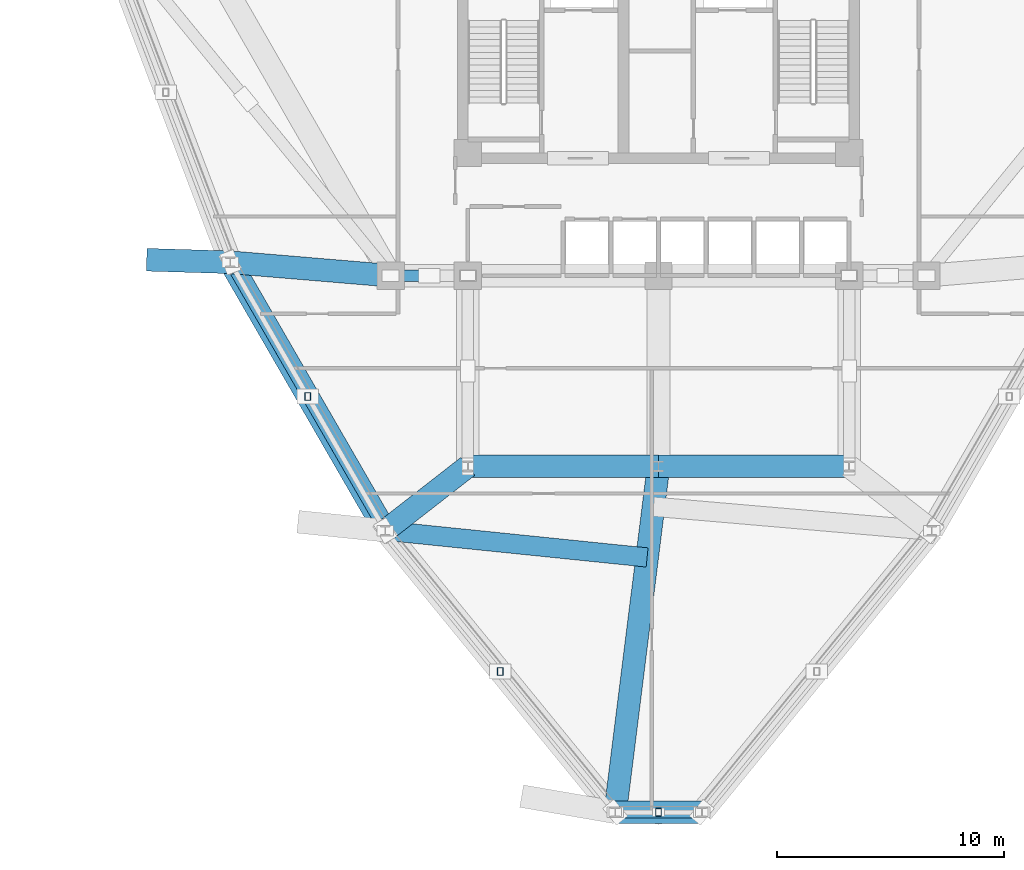
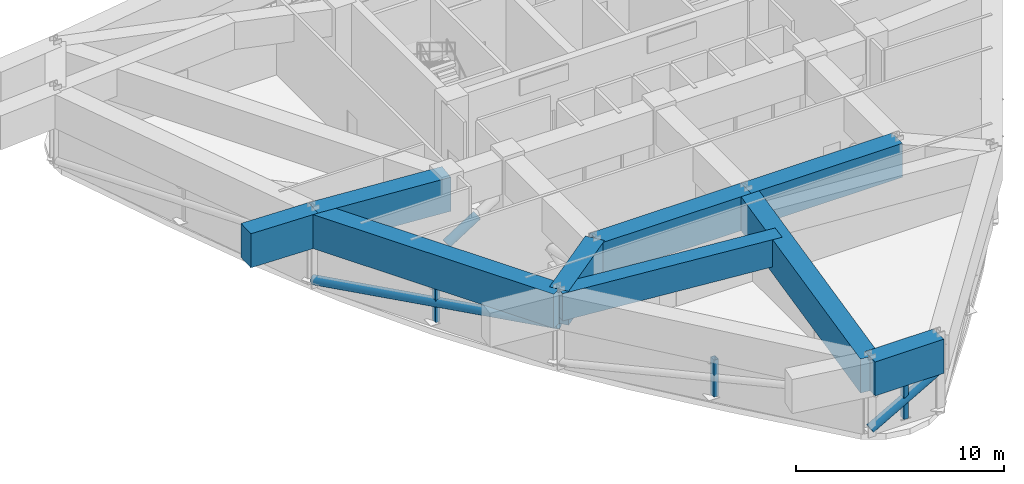
# One storey, part 2 of 13: 9 beams, 6 members.
"""IFC4 building model written with IfcOpenShell, lengths in metres."""

from ifc_helpers import new_model, si_unit, derived_unit, direction, frame, origin, origin_2d, place, context, subcontext, project, spatial, rectangle, hollow_rectangle, hollow_circle, extrude, source, transform, mapped, material, material_profile, profile_set, type_object, element, save


model = new_model("IFC4")

# Units and contexts
model_context = context("Model", 3, precision=1e-05, world=origin(), true_north=direction((0.0, 1.0)))
body_context = subcontext(model_context, "Body", "Model", "MODEL_VIEW")
ifc_project = project(units=[si_unit("LENGTHUNIT", "METRE"), si_unit("AREAUNIT", "SQUARE_METRE"), si_unit("VOLUMEUNIT", "CUBIC_METRE"), si_unit("PLANEANGLEUNIT", "RADIAN"), si_unit("MASSUNIT", "GRAM", prefix="KILO"), derived_unit("THERMALTRANSMITTANCEUNIT", [(si_unit("POWERUNIT", "WATT"), 1), (si_unit("LENGTHUNIT", "METRE"), -2), (si_unit("THERMODYNAMICTEMPERATUREUNIT", "KELVIN"), -1)])], contexts=[model_context])

# Site, building, storey
site_placement = place(None, origin())
site = spatial("IfcSite", under=ifc_project, at=site_placement, CompositionType="ELEMENT")
building_placement = place(site_placement, origin())
building = spatial("IfcBuilding", under=site, at=building_placement, Name="Korsvarv Bourse and Concert Hall", CompositionType="ELEMENT")
storey_placement = place(building_placement, frame((0.0, 0.0, 131.39990234375)))
storey = spatial("IfcBuildingStorey", under=building, at=storey_placement, Name="L33", CompositionType="ELEMENT", Elevation=131.39990234375)

# Beams
ifc_material_1 = material(Name="Concrete C60/75", Category="concrete")
ifc_material_profile_1 = material_profile(ifc_material_1, rectangle(XDim=1.0, YDim=2.0, at=origin_2d()), Name="RC-BM 1000x2000")
ifc_profile_set_1 = profile_set([ifc_material_profile_1], Name="Concrete C60/75")
beam_type_1 = type_object("IfcBeamType", Name="BM-TR1", PredefinedType="BEAM", material=ifc_profile_set_1)
shared_shape_1 = source(origin(), body_context, "Body", "SweptSolid", [
    extrude(rectangle(XDim=1.0, YDim=2.0, at=origin_2d()), origin(), (0.0, 0.0, 1.0), 8.39990234375),
])
for number, where, z_axis, x_axis, name in (
    (1, (27.60009765625, 24.0, 3.570068359375), (1.0, 0.0, 0.0), (0.0, 1.0, 0.0), "L33 beam B-TR1"),
    (2, (36.0, 24.0, 3.570068359375), (1.0, 0.0, 0.0), (0.0, 1.0, 0.0), "L33 beam B-TR1"),
):
    element("IfcBeam", number, at=place(storey_placement, frame(where, z_axis=z_axis, x_axis=x_axis)), inside=storey, type_object=beam_type_1, Name=name, PredefinedType="BEAM", context=body_context, shape_type="MappedRepresentation", body=[
        mapped(shared_shape_1, transform((0.0, 0.0, 0.0), scale=1.0)),
    ])
shared_shape_2 = source(origin(), body_context, "Body", "SweptSolid", [
    extrude(rectangle(XDim=1.0, YDim=2.0, at=origin_2d()), origin(), (0.0, 0.0, 1.0), 3.81591796875),
])
beam_1_placement = place(storey_placement, frame((34.092041015625, 8.76318359375, 3.570068359375), z_axis=(1.0, 0.0, 0.0), x_axis=(0.0, 1.0, 0.0)))
element("IfcBeam", 3, at=beam_1_placement, inside=storey, type_object=beam_type_1, Name="L33 beam B-TR1", PredefinedType="BEAM", context=body_context, shape_type="MappedRepresentation", body=[
    mapped(shared_shape_2, transform((0.0, 0.0, 0.0), scale=1.0)),
])
shared_shape_3 = source(origin(), body_context, "Body", "SweptSolid", [
    extrude(rectangle(XDim=1.0, YDim=2.0, at=origin_2d()), origin(), (0.0, 0.0, 1.0), 13.6533203125),
])
beam_2_placement = place(storey_placement, frame((17.1357421875, 32.991455078125, 3.570068359375), z_axis=(0.499996939111, -0.866027170982, 0.0), x_axis=(0.866027170982, 0.499996939111, 0.0)))
element("IfcBeam", 4, at=beam_2_placement, inside=storey, type_object=beam_type_1, Name="L33 beam B-TR1", PredefinedType="BEAM", context=body_context, shape_type="MappedRepresentation", body=[
    mapped(shared_shape_3, transform((0.0, 0.0, 0.0), scale=1.0)),
])
shared_shape_4 = source(origin(), body_context, "Body", "SweptSolid", [
    extrude(rectangle(XDim=1.0, YDim=2.0, at=origin_2d()), origin(), (0.0, 0.0, 1.0), 7.0888671875),
])
beam_3_placement = place(storey_placement, frame((17.1357421875, 32.991455078125, 3.570068359375), z_axis=(0.996512187592, -0.083447348558, 0.0), x_axis=(0.083447348558, 0.996512187592, 0.0)))
element("IfcBeam", 5, at=beam_3_placement, inside=storey, type_object=beam_type_1, Name="L33 beam B-TR1", PredefinedType="BEAM", context=body_context, shape_type="MappedRepresentation", body=[
    mapped(shared_shape_4, transform((0.0, 0.0, 0.0), scale=1.0)),
])
shared_shape_5 = source(origin(), body_context, "Body", "SweptSolid", [
    extrude(rectangle(XDim=1.0, YDim=2.0, at=origin_2d()), origin(), (0.0, 0.0, 1.0), 4.610595703125),
])
beam_4_placement = place(storey_placement, frame((23.96240234375, 21.167236328125, 3.570068359375), z_axis=(0.788989967488, 0.614406080051, 0.0), x_axis=(-0.614406080051, 0.788989967488, 0.0)))
element("IfcBeam", 6, at=beam_4_placement, inside=storey, type_object=beam_type_1, Name="L33 beam B-TR1", PredefinedType="BEAM", context=body_context, shape_type="MappedRepresentation", body=[
    mapped(shared_shape_5, transform((0.0, 0.0, 0.0), scale=1.0)),
])
shared_shape_6 = source(origin(), body_context, "Body", "SweptSolid", [
    extrude(rectangle(XDim=1.0, YDim=2.0, at=origin_2d()), origin(), (0.0, 0.0, 1.0), 15.355712890625),
])
beam_5_placement = place(storey_placement, frame((34.092041015625, 8.76318359375, 3.570068359375), z_axis=(0.124249978447, 0.992250947521, 0.0), x_axis=(-0.992250947521, 0.124249978447, 0.0)))
element("IfcBeam", 7, at=beam_5_placement, inside=storey, type_object=beam_type_1, Name="L33 beam B-TR1", PredefinedType="BEAM", context=body_context, shape_type="MappedRepresentation", body=[
    mapped(shared_shape_6, transform((0.0, 0.0, 0.0), scale=1.0)),
])
shared_shape_7 = source(origin(), body_context, "Body", "SweptSolid", [
    extrude(rectangle(XDim=1.0, YDim=2.0, at=origin_2d()), origin(), (0.0, 0.0, 1.0), 3.68359375),
])
beam_6_placement = place(storey_placement, frame((17.1357421875, 32.991455078125, 3.570068359375), z_axis=(-0.999545183562, 0.030156691103, 0.0), x_axis=(-0.030156691103, -0.999545183562, 0.0)))
element("IfcBeam", 8, at=beam_6_placement, inside=storey, type_object=beam_type_1, Name="L33 Block-Shift Transfer Girder 7", PredefinedType="BEAM", context=body_context, shape_type="MappedRepresentation", body=[
    mapped(shared_shape_7, transform((0.0, 0.0, 0.0), scale=1.0)),
])
ifc_material_2 = material(Name="Concrete C55/67", Category="concrete")
ifc_material_profile_2 = material_profile(ifc_material_2, rectangle(XDim=0.85009765625, YDim=1.60009765625, at=origin_2d()), Name="RC-BM 850x1600")
ifc_profile_set_2 = profile_set([ifc_material_profile_2], Name="Concrete C55/67")
beam_type_2 = type_object("IfcBeamType", Name="BM-TR1B", PredefinedType="BEAM", material=ifc_profile_set_2)
shared_shape_8 = source(origin(), body_context, "Body", "SweptSolid", [
    extrude(rectangle(XDim=0.85009765625, YDim=1.60009765625, at=origin_2d()), origin(), (0.0, 0.0, 1.0), 11.59521484375),
])
beam_7_placement = place(storey_placement, frame((35.49755859375, 19.98779296875, 3.77001953125), z_axis=(-0.994813335582, 0.101717389608, 0.0), x_axis=(-0.101717389608, -0.994813335582, 0.0)))
element("IfcBeam", 9, at=beam_7_placement, inside=storey, type_object=beam_type_2, Name="L33 beam B-TR2", PredefinedType="BEAM", context=body_context, shape_type="MappedRepresentation", body=[
    mapped(shared_shape_8, transform((0.0, 0.0, 0.0), scale=1.0)),
])

# Members
ifc_material_3 = material(Name="Steel S460", Category="steel")
ifc_material_profile_3 = material_profile(ifc_material_3, hollow_circle(Radius=0.25390625, WallThickness=0.02001953125, at=origin_2d()), Name="CHS 508x20")
ifc_profile_set_3 = profile_set([ifc_material_profile_3], Name="Steel S460")
member_type_1 = type_object("IfcMemberType", Name="MEM-CHS508", PredefinedType="BRACE", material=ifc_profile_set_3)
shared_shape_9 = source(origin(), body_context, "Body", "SweptSolid", [
    extrude(hollow_circle(Radius=0.25390625, WallThickness=0.02001953125, at=origin_2d()), origin(), (0.0, 0.0, 1.0), 2.0166015625),
])
member_1_placement = place(storey_placement, frame((24.199951171875, 32.39990234375, 0.35009765625), z_axis=(0.842947908287, 0.0, 0.537995189491), x_axis=(0.0, 1.0, 0.0)))
element("IfcMember", 10, at=member_1_placement, inside=storey, type_object=member_type_1, Name="L33 Outrigger Truss W1 Split Diagonal 2A", PredefinedType="BRACE", context=body_context, shape_type="MappedRepresentation", body=[
    mapped(shared_shape_9, transform((0.0, 0.0, 0.0), scale=1.0)),
])
shared_shape_10 = source(origin(), body_context, "Body", "SweptSolid", [
    extrude(hollow_circle(Radius=0.25390625, WallThickness=0.02001953125, at=origin_2d()), origin(), (0.0, 0.0, 1.0), 4.3896484375),
])
member_2_placement = place(storey_placement, frame((34.092041015625, 8.76318359375, 0.35009765625), z_axis=(0.869281684266, 0.0, 0.494317057566), x_axis=(0.0, 1.0, 0.0)))
element("IfcMember", 11, at=member_2_placement, inside=storey, type_object=member_type_1, Name="L33 Perimeter Belt Truss Diagonal 9", PredefinedType="BRACE", context=body_context, shape_type="MappedRepresentation", body=[
    mapped(shared_shape_10, transform((0.0, 0.0, 0.0), scale=1.0)),
])
ifc_material_4 = material(Name="Steel S355", Category="steel")
ifc_material_profile_4 = material_profile(ifc_material_4, hollow_rectangle(XDim=0.25, YDim=0.35009765625, WallThickness=0.012451171875, at=origin_2d()), Name="RHS 350x250x12.5")
ifc_profile_set_4 = profile_set([ifc_material_profile_4], Name="Steel S355")
member_type_2 = type_object("IfcMemberType", Name="MEM-RHS350", PredefinedType="STRUT", material=ifc_profile_set_4)
shared_shape_11 = source(origin(), body_context, "Body", "SweptSolid", [
    extrude(hollow_rectangle(XDim=0.25, YDim=0.35009765625, WallThickness=0.012451171875, at=origin_2d()), origin(), (0.0, 0.0, 1.0), 2.169921875),
])
for number, where, z_axis, x_axis, name in (
    (12, (20.549072265625, 27.079345703125, 0.35009765625), (0.0, 0.0, 1.0), (1.0, 0.0, 0.0), "L33 Perimeter Belt Truss Strut 7"),
    (13, (29.027099609375, 14.965087890625, 0.35009765625), (0.0, 0.0, 1.0), (1.0, 0.0, 0.0), "L33 Perimeter Belt Truss Strut 8"),
    (14, (36.0, 8.76318359375, 0.35009765625), (0.0, 0.0, 1.0), (1.0, 0.0, 0.0), "L33 Perimeter Belt Truss Strut 9"),
):
    element("IfcMember", number, at=place(storey_placement, frame(where, z_axis=z_axis, x_axis=x_axis)), inside=storey, type_object=member_type_2, Name=name, PredefinedType="STRUT", context=body_context, shape_type="MappedRepresentation", body=[
        mapped(shared_shape_11, transform((0.0, 0.0, 0.0), scale=1.0)),
    ])
shared_shape_12 = source(origin(), body_context, "Body", "SweptSolid", [
    extrude(hollow_circle(Radius=0.25390625, WallThickness=0.02001953125, at=origin_2d()), origin(), (0.0, 0.0, 1.0), 13.82470703125),
])
member_3_placement = place(storey_placement, frame((17.1357421875, 32.991455078125, 0.35009765625), z_axis=(0.49379952931, -0.855292854715, 0.156959095076), x_axis=(0.866027170982, 0.499996939111, 0.0)))
element("IfcMember", 15, at=member_3_placement, inside=storey, type_object=member_type_1, Name="L33 Perimeter Belt Truss Diagonal 7", PredefinedType="BRACE", context=body_context, shape_type="MappedRepresentation", body=[
    mapped(shared_shape_12, transform((0.0, 0.0, 0.0), scale=1.0)),
])

save(model, "model.ifc")
